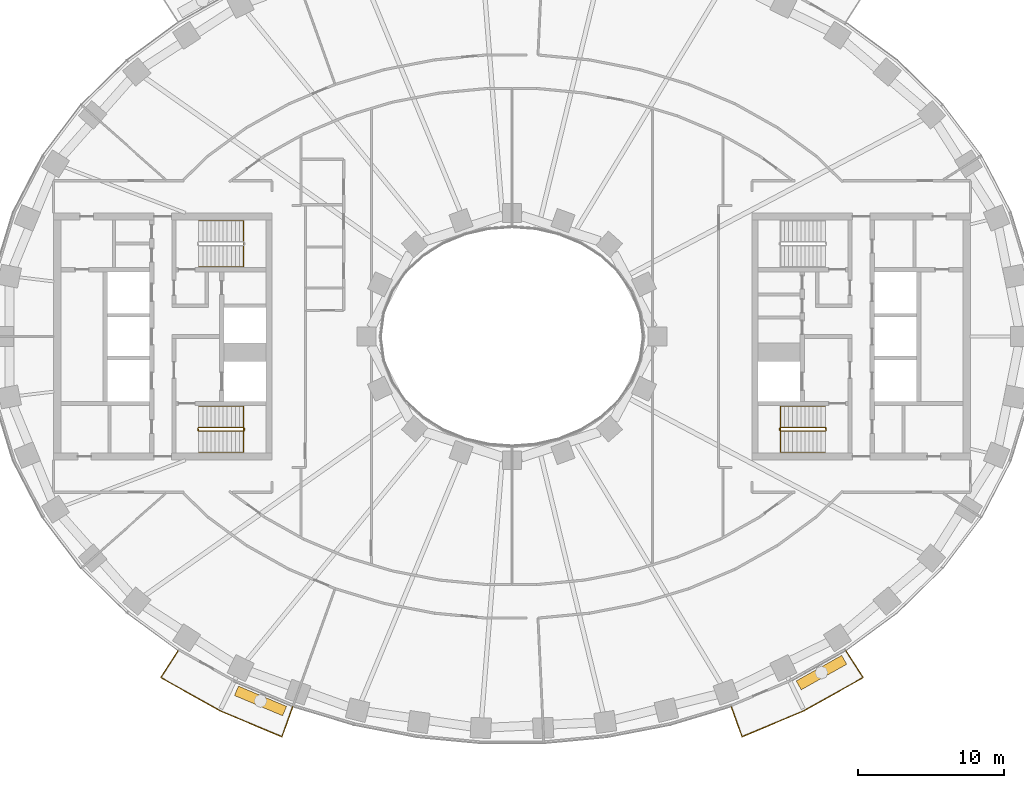
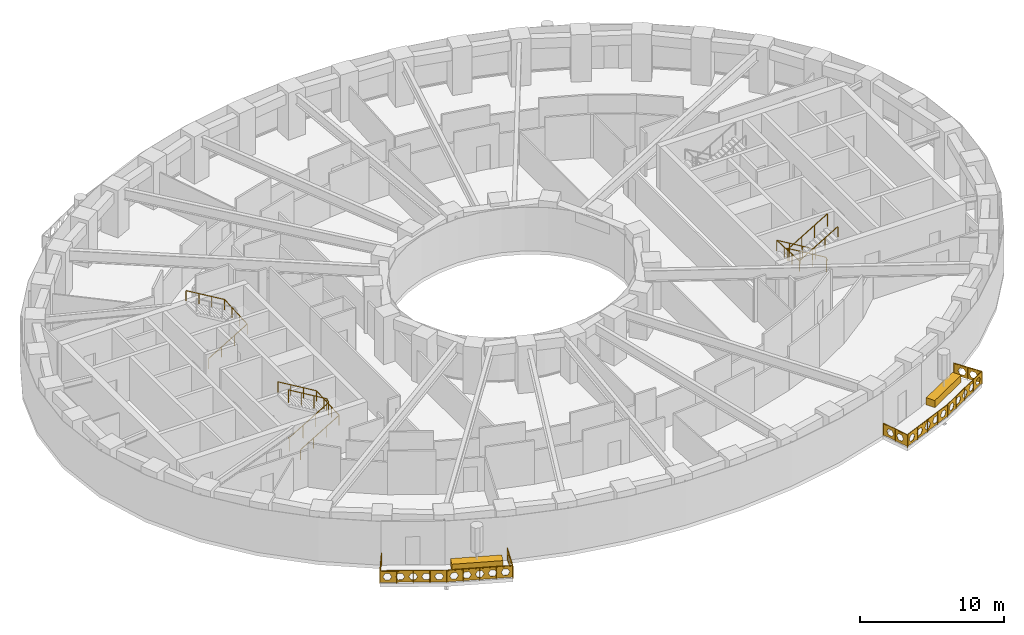
# One storey, part 14 of 16: 7 railings, 2 coverings.
"""IFC4 building model written with IfcOpenShell, lengths in metres."""

import ifcopenshell
import ifcopenshell.guid

model = None  # the IFC model being written
_history = None  # IfcOwnerHistory: only IFC2X3 demands one
_inside = {}  # id of a spatial element -> (the spatial element, [elements in it])
_under = {}  # id of a project, library or spatial element -> (it, [spatial elements below it])
_declared = {}  # id of a project -> (the project, [libraries it declares])
_typed = {}  # id of a type object -> (the type object, [elements of that type])
_made_of = {}  # id of a material, layer set ... -> (it, [elements and type objects made of it])


def new_model(schema):
    """Start an empty IFC model of exactly this schema.

    Asked for "IFC4X3", IfcOpenShell would pick the latest addendum, in which some entities
    have other attributes; the version numbers below select the first issue.
    IFC2X3 requires an IfcOwnerHistory on every rooted entity: one is made here for all.
    """
    global model, _history
    if schema == "IFC4X3":
        model = ifcopenshell.file(schema_version=(4, 3, 0, 0))
    else:
        model = ifcopenshell.file(schema=schema)
    _inside.clear()
    _under.clear()
    _declared.clear()
    _typed.clear()
    _made_of.clear()
    _history = None
    if model.schema == "IFC2X3":
        org = make("IfcOrganization", Name="unknown")
        user = make(
            "IfcPersonAndOrganization",
            ThePerson=make("IfcPerson", FamilyName="unknown"),
            TheOrganization=org,
        )
        app = make(
            "IfcApplication",
            ApplicationDeveloper=org,
            Version="unknown",
            ApplicationFullName="unknown",
            ApplicationIdentifier="unknown",
        )
        _history = make(
            "IfcOwnerHistory",
            OwningUser=user,
            OwningApplication=app,
            ChangeAction="ADDED",
            CreationDate=0,
        )
    return model


def make(cls, **values):
    """One entity of the class cls with the attributes given. An attribute that is None is left unset."""
    return model.create_entity(
        cls, **{name: value for name, value in values.items() if value is not None}
    )


def rooted(cls, **values):
    """An entity with a GlobalId (a new one), such as an element, a storey or a relation."""
    return make(cls, GlobalId=ifcopenshell.guid.new(), OwnerHistory=_history, **values)


def si_unit(unit_type, name, prefix=None):
    """IfcSIUnit, for example si_unit("LENGTHUNIT", "METRE", prefix="MILLI")."""
    return make("IfcSIUnit", UnitType=unit_type, Prefix=prefix, Name=name)


def assignment(units):
    """IfcUnitAssignment: the units of a project."""
    return None if units is None else make("IfcUnitAssignment", Units=units)


def point(xyz):
    """IfcCartesianPoint."""
    return None if xyz is None else make("IfcCartesianPoint", Coordinates=xyz)


def direction(xyz):
    """IfcDirection."""
    return None if xyz is None else make("IfcDirection", DirectionRatios=xyz)


def frame(location, z_axis=None, x_axis=None):
    """IfcAxis2Placement3D, a coordinate frame: its origin and axes. An axis left out is left unset."""
    return make(
        "IfcAxis2Placement3D",
        Location=point(location),
        Axis=direction(z_axis),
        RefDirection=direction(x_axis),
    )


def frame_2d(location, x_axis=None):
    """IfcAxis2Placement2D, a coordinate frame in the plane: its origin and x axis."""
    return make(
        "IfcAxis2Placement2D", Location=point(location), RefDirection=direction(x_axis)
    )


def origin():
    """The frame at (0, 0, 0) with its axes left unset."""
    return frame((0.0, 0.0, 0.0))


def origin_2d():
    """The frame at (0, 0) in the plane with its x axis left unset."""
    return frame_2d((0.0, 0.0))


def place(relative_to, where):
    """IfcLocalPlacement: puts the frame where relative to a parent placement (None: the world)."""
    return make(
        "IfcLocalPlacement", PlacementRelTo=relative_to, RelativePlacement=where
    )


def context(
    kind, dimensions, precision=None, world=None, true_north=None, identifier=None
):
    """IfcGeometricRepresentationContext, for example the 3D "Model" context."""
    return make(
        "IfcGeometricRepresentationContext",
        ContextIdentifier=identifier,
        ContextType=kind,
        CoordinateSpaceDimension=dimensions,
        Precision=precision,
        WorldCoordinateSystem=world,
        TrueNorth=true_north,
    )


def subcontext(parent, identifier, kind, view, scale=None):
    """IfcGeometricRepresentationSubContext, for example "Body" below "Model"."""
    return make(
        "IfcGeometricRepresentationSubContext",
        ContextIdentifier=identifier,
        ContextType=kind,
        ParentContext=parent,
        TargetScale=scale,
        TargetView=view,
    )


def project(units=None, contexts=None):
    """IfcProject with its units and contexts."""
    return rooted(
        "IfcProject",
        Name="project",
        RepresentationContexts=contexts,
        UnitsInContext=assignment(units),
    )


def spatial(cls, under=None, at=None, **own):
    """A site, building, storey or space (cls), placed at a placement, below another one or the project."""
    s = rooted(cls, ObjectPlacement=at, **own)
    if under is not None:
        _under.setdefault(under.id(), (under, []))[1].append(s)
    return s


def polyline(points):
    """IfcPolyline through the points."""
    return make("IfcPolyline", Points=[point(p) for p in points])


def profile(cls, at=None, kind="AREA", **sizes):
    """A parametric profile (cls). Its sizes go by their IFC names, for example OverallWidth=200.0."""
    return make(cls, ProfileType=kind, Position=at, **sizes)


def rectangle(**sizes):
    """IfcRectangleProfileDef."""
    return profile("IfcRectangleProfileDef", **sizes)


def outline(outer, holes=None, kind="AREA"):
    """IfcArbitraryClosedProfileDef: a profile drawn as a closed curve; with holes, ...WithVoids."""
    if holes is None:
        return make("IfcArbitraryClosedProfileDef", ProfileType=kind, OuterCurve=outer)
    return make(
        "IfcArbitraryProfileDefWithVoids",
        ProfileType=kind,
        OuterCurve=outer,
        InnerCurves=holes,
    )


def extrude(swept, where, along, depth):
    """IfcExtrudedAreaSolid: the profile swept, set in the frame where, extruded along a direction by depth."""
    return make(
        "IfcExtrudedAreaSolid",
        SweptArea=swept,
        Position=where,
        ExtrudedDirection=direction(along),
        Depth=depth,
    )


def shape(context_of_items, identifier, shape_type, items):
    """IfcShapeRepresentation: the items that make up one representation, for example the "Body"."""
    return make(
        "IfcShapeRepresentation",
        ContextOfItems=context_of_items,
        RepresentationIdentifier=identifier,
        RepresentationType=shape_type,
        Items=items,
    )


def material(Name=None, Category=None):
    """IfcMaterial."""
    return make("IfcMaterial", Name=Name, Category=Category)


def made_of(thing, what):
    """Note that an element or type object is made of a material, layer set ...; save() writes the relation."""
    if what is not None:
        _made_of.setdefault(what.id(), (what, []))[1].append(thing)
    return thing


def type_object(cls, material=None, **own):
    """A type object (cls), such as IfcWallType, which elements share."""
    return made_of(rooted(cls, **own), material)


def element(
    cls,
    number,
    at=None,
    inside=None,
    cuts=None,
    type_object=None,
    material=None,
    context=None,
    identifier="Body",
    shape_type=None,
    held_by="IfcProductDefinitionShape",
    body=None,
    shapes=None,
    **own,
):
    """One element of the class cls, such as IfcWall. Its Tag is "e" and its number.

    at: its placement. inside: the storey or other place that contains it. cuts: it is an
    opening in that element (IfcRelVoidsElement). A single representation is given by context,
    identifier, shape_type and body (its items); several are given by shapes. held_by: the class
    of the entity that holds the representations. save() writes the other relations.
    """
    e = rooted(cls, Tag="e%d" % number, ObjectPlacement=at, **own)
    if body is not None:
        shapes = [shape(context, identifier, shape_type, body)]
    if shapes is not None:
        e.Representation = make(held_by, Representations=shapes)
    if inside is not None:
        _inside.setdefault(inside.id(), (inside, []))[1].append(e)
    if cuts is not None:
        rooted(
            "IfcRelVoidsElement", RelatingBuildingElement=cuts, RelatedOpeningElement=e
        )
    if type_object is not None:
        _typed.setdefault(type_object.id(), (type_object, []))[1].append(e)
    return made_of(e, material)


def aggregate(whole, parts):
    """IfcRelAggregates: a whole, such as a stair, and the parts it consists of."""
    return rooted("IfcRelAggregates", RelatingObject=whole, RelatedObjects=parts)


def save(model, path):
    """Write the relations noted so far, then the file.

    IfcRelAggregates (storeys below a building ...), IfcRelContainedInSpatialStructure (elements
    in a storey), IfcRelDefinesByType, IfcRelAssociatesMaterial and IfcRelDeclares: one each for
    every whole, place, type object, material and project.
    """
    for whole, parts in _under.values():
        aggregate(whole, parts)
    for where, things in _inside.values():
        rooted(
            "IfcRelContainedInSpatialStructure",
            RelatedElements=things,
            RelatingStructure=where,
        )
    for kind, things in _typed.values():
        rooted("IfcRelDefinesByType", RelatedObjects=things, RelatingType=kind)
    for what, things in _made_of.values():
        rooted("IfcRelAssociatesMaterial", RelatedObjects=things, RelatingMaterial=what)
    for by, libraries in _declared.values():
        rooted("IfcRelDeclares", RelatingContext=by, RelatedDefinitions=libraries)
    model.write(path)


model = new_model("IFC4")

# Units and contexts
model_context = context("Model", 3, precision=1e-05, world=origin(), true_north=direction((0.0, 1.0)))
body_context = subcontext(model_context, "Body", "Model", "MODEL_VIEW")
ifc_project = project(units=[si_unit("LENGTHUNIT", "METRE"), si_unit("AREAUNIT", "SQUARE_METRE"), si_unit("VOLUMEUNIT", "CUBIC_METRE"), si_unit("PLANEANGLEUNIT", "RADIAN"), si_unit("MASSUNIT", "GRAM", prefix="KILO")], contexts=[model_context])

# Site, building, storey
site_placement = place(None, origin())
site = spatial("IfcSite", under=ifc_project, at=site_placement, CompositionType="ELEMENT")
building_placement = place(site_placement, origin())
building = spatial("IfcBuilding", under=site, at=building_placement, Name="Noorbagh Ring Tower", CompositionType="ELEMENT")
storey_placement = place(building_placement, frame((0.0, 0.0, 74.5)))
storey = spatial("IfcBuildingStorey", under=building, at=storey_placement, Name="L16", CompositionType="ELEMENT", Elevation=74.5)

# Railings
ifc_material_1 = material(Name="Stainless steel", Category="steel")
railing_type_1 = type_object("IfcRailingType", Name="CORE-STAIR-GUARD", PredefinedType="GUARDRAIL", material=ifc_material_1)
railing_1_placement = place(storey_placement, frame((-21.580078125, -6.449951171875, 0.0)))
element("IfcRailing", 1, at=railing_1_placement, inside=storey, type_object=railing_type_1, Name="L16 ST2 stair guard", PredefinedType="GUARDRAIL", context=body_context, shape_type="SweptSolid", body=[
    extrude(rectangle(XDim=0.048095703125, YDim=0.048095703125, at=origin_2d()), frame((0.0, 0.0, 1.076171875), z_axis=(0.0, 1.0, 0.0), x_axis=(-1.0, 0.0, 0.0)), (0.0, 0.0, 1.0), 0.14990234375),
    extrude(rectangle(XDim=0.048095703125, YDim=0.048095703125, at=origin_2d()), frame((0.0, 0.14990234375, 1.076171875), z_axis=(0.188775798145, -0.754182335027, 0.628945707965), x_axis=(0.970072785993, 0.242814311512, 0.0)), (0.0, 0.0, 1.0), 0.26513671875),
    extrude(rectangle(XDim=0.048095703125, YDim=0.048095703125, at=origin_2d()), frame((0.050048828125, -0.050048828125, 1.24267578125), z_axis=(0.859308565015, 0.0, 0.511457515432), x_axis=(0.0, 1.0, 0.0)), (0.0, 0.0, 1.0), 3.58447265625),
    extrude(rectangle(XDim=0.048095703125, YDim=0.048095703125, at=origin_2d()), frame((3.130126953125, -0.050048828125, 3.076171875), z_axis=(0.707106781187, 0.707106781187, 0.0), x_axis=(-0.707106781187, 0.707106781187, 0.0)), (0.0, 0.0, 1.0), 0.07080078125),
    extrude(rectangle(XDim=0.048095703125, YDim=0.048095703125, at=origin_2d()), frame((3.18017578125, 0.0, 3.076171875), z_axis=(0.0, 1.0, 0.0), x_axis=(-1.0, 0.0, 0.0)), (0.0, 0.0, 1.0), 0.14990234375),
    extrude(rectangle(XDim=0.048095703125, YDim=0.048095703125, at=origin_2d()), frame((3.18017578125, 0.14990234375, 3.076171875), z_axis=(-0.27628659633, 0.27628659633, 0.920506074601), x_axis=(-0.707106781187, -0.707106781187, 0.0)), (0.0, 0.0, 1.0), 0.18115234375),
    extrude(rectangle(XDim=0.048095703125, YDim=0.048095703125, at=origin_2d()), frame((3.130126953125, 0.199951171875, 3.24267578125), z_axis=(-0.859308565015, 0.0, 0.511457515432), x_axis=(0.0, -1.0, 0.0)), (0.0, 0.0, 1.0), 3.58447265625),
    extrude(rectangle(XDim=0.0419921875, YDim=0.0419921875, at=origin_2d()), origin(), (0.0, 0.0, 1.0), 1.052001953125),
    extrude(rectangle(XDim=0.0419921875, YDim=0.0419921875, at=origin_2d()), frame((1.07666015625, -0.050048828125, 0.77783203125)), (0.0, 0.0, 1.0), 1.052001953125),
    extrude(rectangle(XDim=0.0419921875, YDim=0.0419921875, at=origin_2d()), frame((2.103515625, -0.050048828125, 1.388916015625)), (0.0, 0.0, 1.0), 1.052001953125),
    extrude(rectangle(XDim=0.0419921875, YDim=0.0419921875, at=origin_2d()), frame((3.130126953125, -0.050048828125, 2.0)), (0.0, 0.0, 1.0), 1.052001953125),
    extrude(rectangle(XDim=0.0419921875, YDim=0.0419921875, at=origin_2d()), frame((3.130126953125, 0.199951171875, 2.166748046875)), (0.0, 0.0, 1.0), 1.052001953125),
    extrude(rectangle(XDim=0.0419921875, YDim=0.0419921875, at=origin_2d()), frame((2.103515625, 0.199951171875, 2.77783203125)), (0.0, 0.0, 1.0), 1.052001953125),
    extrude(rectangle(XDim=0.0419921875, YDim=0.0419921875, at=origin_2d()), frame((1.07666015625, 0.199951171875, 3.388916015625)), (0.0, 0.0, 1.0), 1.052001953125),
    extrude(rectangle(XDim=0.0419921875, YDim=0.0419921875, at=origin_2d()), frame((0.050048828125, 0.199951171875, 4.0)), (0.0, 0.0, 1.0), 1.052001953125),
])
railing_2_placement = place(storey_placement, frame((21.580078125, -6.300048828125, 0.0)))
element("IfcRailing", 2, at=railing_2_placement, inside=storey, type_object=railing_type_1, Name="L16 ST4 stair guard", PredefinedType="GUARDRAIL", context=body_context, shape_type="SweptSolid", body=[
    extrude(rectangle(XDim=0.048095703125, YDim=0.048095703125, at=origin_2d()), frame((0.0, 0.0, 1.076171875), z_axis=(0.0, -1.0, 0.0), x_axis=(1.0, 0.0, 0.0)), (0.0, 0.0, 1.0), 0.14990234375),
    extrude(rectangle(XDim=0.048095703125, YDim=0.048095703125, at=origin_2d()), frame((0.0, -0.14990234375, 1.076171875), z_axis=(-0.188775798145, 0.754182335027, 0.628945707965), x_axis=(-0.970072785993, -0.242814311512, 0.0)), (0.0, 0.0, 1.0), 0.26513671875),
    extrude(rectangle(XDim=0.048095703125, YDim=0.048095703125, at=origin_2d()), frame((-0.050048828125, 0.050048828125, 1.24267578125), z_axis=(-0.859308565015, 0.0, 0.511457515432), x_axis=(0.0, -1.0, 0.0)), (0.0, 0.0, 1.0), 3.58447265625),
    extrude(rectangle(XDim=0.048095703125, YDim=0.048095703125, at=origin_2d()), frame((-3.130126953125, 0.050048828125, 3.076171875), z_axis=(-0.707106781187, -0.707106781187, 0.0), x_axis=(0.707106781187, -0.707106781187, 0.0)), (0.0, 0.0, 1.0), 0.07080078125),
    extrude(rectangle(XDim=0.048095703125, YDim=0.048095703125, at=origin_2d()), frame((-3.18017578125, 0.0, 3.076171875), z_axis=(0.0, -1.0, 0.0), x_axis=(1.0, 0.0, 0.0)), (0.0, 0.0, 1.0), 0.14990234375),
    extrude(rectangle(XDim=0.048095703125, YDim=0.048095703125, at=origin_2d()), frame((-3.18017578125, -0.14990234375, 3.076171875), z_axis=(0.27628659633, -0.27628659633, 0.920506074601), x_axis=(0.707106781187, 0.707106781187, 0.0)), (0.0, 0.0, 1.0), 0.18115234375),
    extrude(rectangle(XDim=0.048095703125, YDim=0.048095703125, at=origin_2d()), frame((-3.130126953125, -0.199951171875, 3.24267578125), z_axis=(0.859308565015, 0.0, 0.511457515432), x_axis=(0.0, 1.0, 0.0)), (0.0, 0.0, 1.0), 3.58447265625),
    extrude(rectangle(XDim=0.0419921875, YDim=0.0419921875, at=origin_2d()), origin(), (0.0, 0.0, 1.0), 1.052001953125),
    extrude(rectangle(XDim=0.0419921875, YDim=0.0419921875, at=origin_2d()), frame((-1.07666015625, 0.050048828125, 0.77783203125)), (0.0, 0.0, 1.0), 1.052001953125),
    extrude(rectangle(XDim=0.0419921875, YDim=0.0419921875, at=origin_2d()), frame((-2.103515625, 0.050048828125, 1.388916015625)), (0.0, 0.0, 1.0), 1.052001953125),
    extrude(rectangle(XDim=0.0419921875, YDim=0.0419921875, at=origin_2d()), frame((-3.130126953125, 0.050048828125, 2.0)), (0.0, 0.0, 1.0), 1.052001953125),
    extrude(rectangle(XDim=0.0419921875, YDim=0.0419921875, at=origin_2d()), frame((-3.130126953125, -0.199951171875, 2.166748046875)), (0.0, 0.0, 1.0), 1.052001953125),
    extrude(rectangle(XDim=0.0419921875, YDim=0.0419921875, at=origin_2d()), frame((-2.103515625, -0.199951171875, 2.77783203125)), (0.0, 0.0, 1.0), 1.052001953125),
    extrude(rectangle(XDim=0.0419921875, YDim=0.0419921875, at=origin_2d()), frame((-1.07666015625, -0.199951171875, 3.388916015625)), (0.0, 0.0, 1.0), 1.052001953125),
    extrude(rectangle(XDim=0.0419921875, YDim=0.0419921875, at=origin_2d()), frame((-0.050048828125, -0.199951171875, 4.0)), (0.0, 0.0, 1.0), 1.052001953125),
])
ifc_material_2 = material(Name="Stainless steel", Category="steel")
railing_type_2 = type_object("IfcRailingType", Name="CORE-STAIR-HANDRAIL", PredefinedType="HANDRAIL", material=ifc_material_2)
railing_3_placement = place(storey_placement, frame((-21.530029296875, 4.800048828125, 0.166748046875)))
element("IfcRailing", 3, at=railing_3_placement, inside=storey, type_object=railing_type_2, Name="L16 ST1 stair handrail", PredefinedType="HANDRAIL", context=body_context, shape_type="SweptSolid", body=[
    extrude(rectangle(XDim=0.048095703125, YDim=0.048095703125, at=origin_2d()), frame((0.0, 0.0, 0.8759765625), z_axis=(0.859308565015, 0.0, 0.511457515432), x_axis=(0.0, 1.0, 0.0)), (0.0, 0.0, 1.0), 3.58447265625),
    extrude(rectangle(XDim=0.048095703125, YDim=0.048095703125, at=origin_2d()), frame((3.080078125, 0.0, 2.708984375), z_axis=(0.0, 0.998601747152, 0.052863509014), x_axis=(-1.0, 0.0, 0.0)), (0.0, 0.0, 1.0), 3.154296875),
    extrude(rectangle(XDim=0.048095703125, YDim=0.048095703125, at=origin_2d()), frame((3.080078125, 3.14990234375, 2.8759765625), z_axis=(-0.859308565015, 0.0, 0.511457515432), x_axis=(0.0, -1.0, 0.0)), (0.0, 0.0, 1.0), 3.58447265625),
    extrude(rectangle(XDim=0.0419921875, YDim=0.0419921875, at=origin_2d()), origin(), (0.0, 0.0, 1.0), 0.851806640625),
    extrude(rectangle(XDim=0.0419921875, YDim=0.0419921875, at=origin_2d()), frame((1.026611328125, 0.0, 0.611083984375)), (0.0, 0.0, 1.0), 0.851806640625),
    extrude(rectangle(XDim=0.0419921875, YDim=0.0419921875, at=origin_2d()), frame((2.053466796875, 0.0, 1.22216796875)), (0.0, 0.0, 1.0), 0.851806640625),
    extrude(rectangle(XDim=0.0419921875, YDim=0.0419921875, at=origin_2d()), frame((3.080078125, 0.0, 1.833251953125)), (0.0, 0.0, 1.0), 0.851806640625),
    extrude(rectangle(XDim=0.0419921875, YDim=0.0419921875, at=origin_2d()), frame((3.080078125, 1.050048828125, 1.888916015625)), (0.0, 0.0, 1.0), 0.851806640625),
    extrude(rectangle(XDim=0.0419921875, YDim=0.0419921875, at=origin_2d()), frame((3.080078125, 2.099853515625, 1.9443359375)), (0.0, 0.0, 1.0), 0.851806640625),
    extrude(rectangle(XDim=0.0419921875, YDim=0.0419921875, at=origin_2d()), frame((3.080078125, 3.14990234375, 2.0)), (0.0, 0.0, 1.0), 0.851806640625),
    extrude(rectangle(XDim=0.0419921875, YDim=0.0419921875, at=origin_2d()), frame((2.053466796875, 3.14990234375, 2.611083984375)), (0.0, 0.0, 1.0), 0.851806640625),
    extrude(rectangle(XDim=0.0419921875, YDim=0.0419921875, at=origin_2d()), frame((1.026611328125, 3.14990234375, 3.22216796875)), (0.0, 0.0, 1.0), 0.851806640625),
    extrude(rectangle(XDim=0.0419921875, YDim=0.0419921875, at=origin_2d()), frame((0.0, 3.14990234375, 3.833251953125)), (0.0, 0.0, 1.0), 0.851806640625),
])
railing_4_placement = place(storey_placement, frame((-21.530029296875, -7.949951171875, 0.166748046875)))
element("IfcRailing", 4, at=railing_4_placement, inside=storey, type_object=railing_type_2, Name="L16 ST2 stair handrail", PredefinedType="HANDRAIL", context=body_context, shape_type="SweptSolid", body=[
    extrude(rectangle(XDim=0.048095703125, YDim=0.048095703125, at=origin_2d()), frame((0.0, 0.0, 0.8759765625), z_axis=(0.859308565015, 0.0, 0.511457515432), x_axis=(0.0, 1.0, 0.0)), (0.0, 0.0, 1.0), 3.58447265625),
    extrude(rectangle(XDim=0.048095703125, YDim=0.048095703125, at=origin_2d()), frame((3.080078125, 0.0, 2.708984375), z_axis=(0.0, 0.998601747152, 0.052863509014), x_axis=(-1.0, 0.0, 0.0)), (0.0, 0.0, 1.0), 3.154296875),
    extrude(rectangle(XDim=0.048095703125, YDim=0.048095703125, at=origin_2d()), frame((3.080078125, 3.14990234375, 2.8759765625), z_axis=(-0.859308565015, 0.0, 0.511457515432), x_axis=(0.0, -1.0, 0.0)), (0.0, 0.0, 1.0), 3.58447265625),
    extrude(rectangle(XDim=0.0419921875, YDim=0.0419921875, at=origin_2d()), origin(), (0.0, 0.0, 1.0), 0.851806640625),
    extrude(rectangle(XDim=0.0419921875, YDim=0.0419921875, at=origin_2d()), frame((1.026611328125, 0.0, 0.611083984375)), (0.0, 0.0, 1.0), 0.851806640625),
    extrude(rectangle(XDim=0.0419921875, YDim=0.0419921875, at=origin_2d()), frame((2.053466796875, 0.0, 1.22216796875)), (0.0, 0.0, 1.0), 0.851806640625),
    extrude(rectangle(XDim=0.0419921875, YDim=0.0419921875, at=origin_2d()), frame((3.080078125, 0.0, 1.833251953125)), (0.0, 0.0, 1.0), 0.851806640625),
    extrude(rectangle(XDim=0.0419921875, YDim=0.0419921875, at=origin_2d()), frame((3.080078125, 1.050048828125, 1.888916015625)), (0.0, 0.0, 1.0), 0.851806640625),
    extrude(rectangle(XDim=0.0419921875, YDim=0.0419921875, at=origin_2d()), frame((3.080078125, 2.099853515625, 1.9443359375)), (0.0, 0.0, 1.0), 0.851806640625),
    extrude(rectangle(XDim=0.0419921875, YDim=0.0419921875, at=origin_2d()), frame((3.080078125, 3.14990234375, 2.0)), (0.0, 0.0, 1.0), 0.851806640625),
    extrude(rectangle(XDim=0.0419921875, YDim=0.0419921875, at=origin_2d()), frame((2.053466796875, 3.14990234375, 2.611083984375)), (0.0, 0.0, 1.0), 0.851806640625),
    extrude(rectangle(XDim=0.0419921875, YDim=0.0419921875, at=origin_2d()), frame((1.026611328125, 3.14990234375, 3.22216796875)), (0.0, 0.0, 1.0), 0.851806640625),
    extrude(rectangle(XDim=0.0419921875, YDim=0.0419921875, at=origin_2d()), frame((0.0, 3.14990234375, 3.833251953125)), (0.0, 0.0, 1.0), 0.851806640625),
])
railing_5_placement = place(storey_placement, frame((21.530029296875, -4.800048828125, 0.166748046875)))
element("IfcRailing", 5, at=railing_5_placement, inside=storey, type_object=railing_type_2, Name="L16 ST4 stair handrail", PredefinedType="HANDRAIL", context=body_context, shape_type="SweptSolid", body=[
    extrude(rectangle(XDim=0.048095703125, YDim=0.048095703125, at=origin_2d()), frame((0.0, 0.0, 0.8759765625), z_axis=(-0.859308565015, 0.0, 0.511457515432), x_axis=(0.0, -1.0, 0.0)), (0.0, 0.0, 1.0), 3.58447265625),
    extrude(rectangle(XDim=0.048095703125, YDim=0.048095703125, at=origin_2d()), frame((-3.080078125, 0.0, 2.708984375), z_axis=(0.0, -0.998601747152, 0.052863509014), x_axis=(1.0, 0.0, 0.0)), (0.0, 0.0, 1.0), 3.154296875),
    extrude(rectangle(XDim=0.048095703125, YDim=0.048095703125, at=origin_2d()), frame((-3.080078125, -3.14990234375, 2.8759765625), z_axis=(0.859308565015, 0.0, 0.511457515432), x_axis=(0.0, 1.0, 0.0)), (0.0, 0.0, 1.0), 3.58447265625),
    extrude(rectangle(XDim=0.0419921875, YDim=0.0419921875, at=origin_2d()), origin(), (0.0, 0.0, 1.0), 0.851806640625),
    extrude(rectangle(XDim=0.0419921875, YDim=0.0419921875, at=origin_2d()), frame((-1.026611328125, 0.0, 0.611083984375)), (0.0, 0.0, 1.0), 0.851806640625),
    extrude(rectangle(XDim=0.0419921875, YDim=0.0419921875, at=origin_2d()), frame((-2.053466796875, 0.0, 1.22216796875)), (0.0, 0.0, 1.0), 0.851806640625),
    extrude(rectangle(XDim=0.0419921875, YDim=0.0419921875, at=origin_2d()), frame((-3.080078125, 0.0, 1.833251953125)), (0.0, 0.0, 1.0), 0.851806640625),
    extrude(rectangle(XDim=0.0419921875, YDim=0.0419921875, at=origin_2d()), frame((-3.080078125, -1.050048828125, 1.888916015625)), (0.0, 0.0, 1.0), 0.851806640625),
    extrude(rectangle(XDim=0.0419921875, YDim=0.0419921875, at=origin_2d()), frame((-3.080078125, -2.099853515625, 1.9443359375)), (0.0, 0.0, 1.0), 0.851806640625),
    extrude(rectangle(XDim=0.0419921875, YDim=0.0419921875, at=origin_2d()), frame((-3.080078125, -3.14990234375, 2.0)), (0.0, 0.0, 1.0), 0.851806640625),
    extrude(rectangle(XDim=0.0419921875, YDim=0.0419921875, at=origin_2d()), frame((-2.053466796875, -3.14990234375, 2.611083984375)), (0.0, 0.0, 1.0), 0.851806640625),
    extrude(rectangle(XDim=0.0419921875, YDim=0.0419921875, at=origin_2d()), frame((-1.026611328125, -3.14990234375, 3.22216796875)), (0.0, 0.0, 1.0), 0.851806640625),
    extrude(rectangle(XDim=0.0419921875, YDim=0.0419921875, at=origin_2d()), frame((0.0, -3.14990234375, 3.833251953125)), (0.0, 0.0, 1.0), 0.851806640625),
])
ifc_material_3 = material(Name="Steel S275 black powder-coated", Category="steel")
railing_type_3 = type_object("IfcRailingType", Name="ENV-GUARD", PredefinedType="GUARDRAIL", material=ifc_material_3)
railing_6_placement = place(storey_placement, frame((-22.9326171875, -21.583740234375, 0.0)))
element("IfcRailing", 6, at=railing_6_placement, inside=storey, type_object=railing_type_3, Name="Balcony guard BS02", PredefinedType="GUARDRAIL", context=body_context, shape_type="SweptSolid", body=[
    extrude(rectangle(XDim=0.048095703125, YDim=0.048095703125, at=origin_2d()), frame((0.0, 0.0, 1.076171875), z_axis=(-0.542268136821, -0.840205491406, 0.0), x_axis=(0.840205491406, -0.542268136821, 0.0)), (0.0, 0.0, 1.0), 2.204345703125),
    extrude(rectangle(XDim=0.048095703125, YDim=0.048095703125, at=origin_2d()), frame((-1.1953125, -1.85205078125, 1.076171875), z_axis=(0.872052247658, -0.489412788303, 0.0), x_axis=(0.489412788303, 0.872052247658, 0.0)), (0.0, 0.0, 1.0), 4.646240234375),
    extrude(rectangle(XDim=0.048095703125, YDim=0.048095703125, at=origin_2d()), frame((2.8564453125, -4.1259765625, 1.076171875), z_axis=(0.921809087722, -0.387644174203, 0.0), x_axis=(0.387644174203, 0.921809087722, 0.0)), (0.0, 0.0, 1.0), 4.627197265625),
    extrude(rectangle(XDim=0.048095703125, YDim=0.048095703125, at=origin_2d()), frame((7.121826171875, -5.919677734375, 1.076171875), z_axis=(0.338350546839, 0.941020141896, 0.0), x_axis=(-0.941020141896, 0.338350546839, 0.0)), (0.0, 0.0, 1.0), 2.202880859375),
    extrude(rectangle(XDim=0.0419921875, YDim=0.0419921875, at=origin_2d()), origin(), (0.0, 0.0, 1.0), 1.052001953125),
    extrude(rectangle(XDim=0.0419921875, YDim=0.0419921875, at=origin_2d()), frame((-0.59765625, -0.926025390625, 0.0)), (0.0, 0.0, 1.0), 1.052001953125),
    extrude(rectangle(XDim=0.0419921875, YDim=0.0419921875, at=origin_2d()), frame((-1.1953125, -1.85205078125, 0.0)), (0.0, 0.0, 1.0), 1.052001953125),
    extrude(rectangle(XDim=0.0419921875, YDim=0.0419921875, at=origin_2d()), frame((-0.182373046875, -2.42041015625, 0.0)), (0.0, 0.0, 1.0), 1.052001953125),
    extrude(rectangle(XDim=0.0419921875, YDim=0.0419921875, at=origin_2d()), frame((0.83056640625, -2.989013671875, 0.0)), (0.0, 0.0, 1.0), 1.052001953125),
    extrude(rectangle(XDim=0.0419921875, YDim=0.0419921875, at=origin_2d()), frame((1.843505859375, -3.5576171875, 0.0)), (0.0, 0.0, 1.0), 1.052001953125),
    extrude(rectangle(XDim=0.0419921875, YDim=0.0419921875, at=origin_2d()), frame((2.8564453125, -4.1259765625, 0.0)), (0.0, 0.0, 1.0), 1.052001953125),
    extrude(rectangle(XDim=0.0419921875, YDim=0.0419921875, at=origin_2d()), frame((3.9228515625, -4.574462890625, 0.0)), (0.0, 0.0, 1.0), 1.052001953125),
    extrude(rectangle(XDim=0.0419921875, YDim=0.0419921875, at=origin_2d()), frame((4.9892578125, -5.02294921875, 0.0)), (0.0, 0.0, 1.0), 1.052001953125),
    extrude(rectangle(XDim=0.0419921875, YDim=0.0419921875, at=origin_2d()), frame((6.055419921875, -5.47119140625, 0.0)), (0.0, 0.0, 1.0), 1.052001953125),
    extrude(rectangle(XDim=0.0419921875, YDim=0.0419921875, at=origin_2d()), frame((7.121826171875, -5.919677734375, 0.0)), (0.0, 0.0, 1.0), 1.052001953125),
    extrude(rectangle(XDim=0.0419921875, YDim=0.0419921875, at=origin_2d()), frame((7.49462890625, -4.88330078125, 0.0)), (0.0, 0.0, 1.0), 1.052001953125),
    extrude(rectangle(XDim=0.0419921875, YDim=0.0419921875, at=origin_2d()), frame((7.8671875, -3.8466796875, 0.0)), (0.0, 0.0, 1.0), 1.052001953125),
    extrude(outline(polyline([(0.0, 0.10009765625), (2.204345703125, 0.10009765625), (2.204345703125, 1.031982421875), (0.0, 1.031982421875), (0.0, 0.10009765625)]), holes=[polyline([(0.962158203125, 0.56591796875), (0.80712890625, 0.83447265625), (0.4970703125, 0.83447265625), (0.342041015625, 0.56591796875), (0.4970703125, 0.297607421875), (0.80712890625, 0.297607421875), (0.962158203125, 0.56591796875)]), polyline([(1.862060546875, 0.56591796875), (1.70703125, 0.83447265625), (1.397216796875, 0.83447265625), (1.2421875, 0.56591796875), (1.397216796875, 0.297607421875), (1.70703125, 0.297607421875), (1.862060546875, 0.56591796875)])]), frame((0.00830078125, -0.00537109375, 0.0), z_axis=(-0.840205491406, 0.542268136821, 0.0), x_axis=(-0.542268136821, -0.840205491406, 0.0)), (0.0, 0.0, 1.0), 0.02001953125),
    extrude(outline(polyline([(0.0, 0.10009765625), (4.646240234375, 0.10009765625), (4.646240234375, 1.031982421875), (0.0, 1.031982421875), (0.0, 0.10009765625)]), holes=[polyline([(0.8330078125, 0.56591796875), (0.67822265625, 0.83447265625), (0.3681640625, 0.83447265625), (0.213134765625, 0.56591796875), (0.3681640625, 0.297607421875), (0.67822265625, 0.297607421875), (0.8330078125, 0.56591796875)]), polyline([(1.733154296875, 0.56591796875), (1.578125, 0.83447265625), (1.26806640625, 0.83447265625), (1.113037109375, 0.56591796875), (1.26806640625, 0.297607421875), (1.578125, 0.297607421875), (1.733154296875, 0.56591796875)]), polyline([(2.633056640625, 0.56591796875), (2.47802734375, 0.83447265625), (2.168212890625, 0.83447265625), (2.01318359375, 0.56591796875), (2.168212890625, 0.297607421875), (2.47802734375, 0.297607421875), (2.633056640625, 0.56591796875)]), polyline([(3.533203125, 0.56591796875), (3.378173828125, 0.83447265625), (3.068115234375, 0.83447265625), (2.9130859375, 0.56591796875), (3.068115234375, 0.297607421875), (3.378173828125, 0.297607421875), (3.533203125, 0.56591796875)]), polyline([(4.43310546875, 0.56591796875), (4.278076171875, 0.83447265625), (3.968017578125, 0.83447265625), (3.813232421875, 0.56591796875), (3.968017578125, 0.297607421875), (4.278076171875, 0.297607421875), (4.43310546875, 0.56591796875)])]), frame((-1.1904296875, -1.84326171875, 0.0), z_axis=(-0.489412788303, -0.872052247658, 0.0), x_axis=(0.872052247658, -0.489412788303, 0.0)), (0.0, 0.0, 1.0), 0.02001953125),
    extrude(outline(polyline([(0.0, 0.10009765625), (4.627197265625, 0.10009765625), (4.627197265625, 1.031982421875), (0.0, 1.031982421875), (0.0, 0.10009765625)]), holes=[polyline([(0.823486328125, 0.56591796875), (0.668701171875, 0.83447265625), (0.358642578125, 0.83447265625), (0.20361328125, 0.56591796875), (0.358642578125, 0.297607421875), (0.668701171875, 0.297607421875), (0.823486328125, 0.56591796875)]), polyline([(1.7236328125, 0.56591796875), (1.568603515625, 0.83447265625), (1.258544921875, 0.83447265625), (1.103515625, 0.56591796875), (1.258544921875, 0.297607421875), (1.568603515625, 0.297607421875), (1.7236328125, 0.56591796875)]), polyline([(2.62353515625, 0.56591796875), (2.468505859375, 0.83447265625), (2.15869140625, 0.83447265625), (2.003662109375, 0.56591796875), (2.15869140625, 0.297607421875), (2.468505859375, 0.297607421875), (2.62353515625, 0.56591796875)]), polyline([(3.523681640625, 0.56591796875), (3.36865234375, 0.83447265625), (3.05859375, 0.83447265625), (2.903564453125, 0.56591796875), (3.05859375, 0.297607421875), (3.36865234375, 0.297607421875), (3.523681640625, 0.56591796875)]), polyline([(4.423583984375, 0.56591796875), (4.2685546875, 0.83447265625), (3.95849609375, 0.83447265625), (3.8037109375, 0.56591796875), (3.95849609375, 0.297607421875), (4.2685546875, 0.297607421875), (4.423583984375, 0.56591796875)])]), frame((2.8603515625, -4.11669921875, 0.0), z_axis=(-0.387644174203, -0.921809087722, 0.0), x_axis=(0.921809087722, -0.387644174203, 0.0)), (0.0, 0.0, 1.0), 0.02001953125),
    extrude(outline(polyline([(0.0, 0.10009765625), (2.202880859375, 0.10009765625), (2.202880859375, 1.031982421875), (0.0, 1.031982421875), (0.0, 0.10009765625)]), holes=[polyline([(0.96142578125, 0.56591796875), (0.806396484375, 0.83447265625), (0.49658203125, 0.83447265625), (0.341552734375, 0.56591796875), (0.49658203125, 0.297607421875), (0.806396484375, 0.297607421875), (0.96142578125, 0.56591796875)]), polyline([(1.861572265625, 0.56591796875), (1.70654296875, 0.83447265625), (1.396484375, 0.83447265625), (1.241455078125, 0.56591796875), (1.396484375, 0.297607421875), (1.70654296875, 0.297607421875), (1.861572265625, 0.56591796875)])]), frame((7.1123046875, -5.916259765625, 0.0), z_axis=(0.941020141896, -0.338350546839, 0.0), x_axis=(0.338350546839, 0.941020141896, 0.0)), (0.0, 0.0, 1.0), 0.02001953125),
])
railing_7_placement = place(storey_placement, frame((15.0654296875, -25.430419921875, 0.0)))
element("IfcRailing", 7, at=railing_7_placement, inside=storey, type_object=railing_type_3, Name="Balcony guard BS05", PredefinedType="GUARDRAIL", context=body_context, shape_type="SweptSolid", body=[
    extrude(rectangle(XDim=0.048095703125, YDim=0.048095703125, at=origin_2d()), frame((0.0, 0.0, 1.076171875), z_axis=(0.338350546839, -0.941020141896, 0.0), x_axis=(0.941020141896, 0.338350546839, 0.0)), (0.0, 0.0, 1.0), 2.202880859375),
    extrude(rectangle(XDim=0.048095703125, YDim=0.048095703125, at=origin_2d()), frame((0.745361328125, -2.072998046875, 1.076171875), z_axis=(0.921809087722, 0.387644174203, 0.0), x_axis=(-0.387644174203, 0.921809087722, 0.0)), (0.0, 0.0, 1.0), 4.627197265625),
    extrude(rectangle(XDim=0.048095703125, YDim=0.048095703125, at=origin_2d()), frame((5.0107421875, -0.279296875, 1.076171875), z_axis=(0.872052247658, 0.489412788303, 0.0), x_axis=(-0.489412788303, 0.872052247658, 0.0)), (0.0, 0.0, 1.0), 4.646240234375),
    extrude(rectangle(XDim=0.048095703125, YDim=0.048095703125, at=origin_2d()), frame((9.0625, 1.99462890625, 1.076171875), z_axis=(-0.542268136821, 0.840205491406, 0.0), x_axis=(-0.840205491406, -0.542268136821, 0.0)), (0.0, 0.0, 1.0), 2.204345703125),
    extrude(rectangle(XDim=0.0419921875, YDim=0.0419921875, at=origin_2d()), origin(), (0.0, 0.0, 1.0), 1.052001953125),
    extrude(rectangle(XDim=0.0419921875, YDim=0.0419921875, at=origin_2d()), frame((0.37255859375, -1.03662109375, 0.0)), (0.0, 0.0, 1.0), 1.052001953125),
    extrude(rectangle(XDim=0.0419921875, YDim=0.0419921875, at=origin_2d()), frame((0.745361328125, -2.072998046875, 0.0)), (0.0, 0.0, 1.0), 1.052001953125),
    extrude(rectangle(XDim=0.0419921875, YDim=0.0419921875, at=origin_2d()), frame((1.811767578125, -1.62451171875, 0.0)), (0.0, 0.0, 1.0), 1.052001953125),
    extrude(rectangle(XDim=0.0419921875, YDim=0.0419921875, at=origin_2d()), frame((2.8779296875, -1.17626953125, 0.0)), (0.0, 0.0, 1.0), 1.052001953125),
    extrude(rectangle(XDim=0.0419921875, YDim=0.0419921875, at=origin_2d()), frame((3.9443359375, -0.727783203125, 0.0)), (0.0, 0.0, 1.0), 1.052001953125),
    extrude(rectangle(XDim=0.0419921875, YDim=0.0419921875, at=origin_2d()), frame((5.0107421875, -0.279296875, 0.0)), (0.0, 0.0, 1.0), 1.052001953125),
    extrude(rectangle(XDim=0.0419921875, YDim=0.0419921875, at=origin_2d()), frame((6.023681640625, 0.2890625, 0.0)), (0.0, 0.0, 1.0), 1.052001953125),
    extrude(rectangle(XDim=0.0419921875, YDim=0.0419921875, at=origin_2d()), frame((7.03662109375, 0.857666015625, 0.0)), (0.0, 0.0, 1.0), 1.052001953125),
    extrude(rectangle(XDim=0.0419921875, YDim=0.0419921875, at=origin_2d()), frame((8.049560546875, 1.42626953125, 0.0)), (0.0, 0.0, 1.0), 1.052001953125),
    extrude(rectangle(XDim=0.0419921875, YDim=0.0419921875, at=origin_2d()), frame((9.0625, 1.99462890625, 0.0)), (0.0, 0.0, 1.0), 1.052001953125),
    extrude(rectangle(XDim=0.0419921875, YDim=0.0419921875, at=origin_2d()), frame((8.46484375, 2.920654296875, 0.0)), (0.0, 0.0, 1.0), 1.052001953125),
    extrude(rectangle(XDim=0.0419921875, YDim=0.0419921875, at=origin_2d()), frame((7.8671875, 3.8466796875, 0.0)), (0.0, 0.0, 1.0), 1.052001953125),
    extrude(outline(polyline([(0.0, 0.10009765625), (2.202880859375, 0.10009765625), (2.202880859375, 1.031982421875), (0.0, 1.031982421875), (0.0, 0.10009765625)]), holes=[polyline([(0.96142578125, 0.56591796875), (0.806396484375, 0.83447265625), (0.49658203125, 0.83447265625), (0.341552734375, 0.56591796875), (0.49658203125, 0.297607421875), (0.806396484375, 0.297607421875), (0.96142578125, 0.56591796875)]), polyline([(1.861572265625, 0.56591796875), (1.70654296875, 0.83447265625), (1.396484375, 0.83447265625), (1.241455078125, 0.56591796875), (1.396484375, 0.297607421875), (1.70654296875, 0.297607421875), (1.861572265625, 0.56591796875)])]), frame((0.009521484375, 0.00341796875, 0.0), z_axis=(-0.941020141896, -0.338350546839, 0.0), x_axis=(0.338350546839, -0.941020141896, 0.0)), (0.0, 0.0, 1.0), 0.02001953125),
    extrude(outline(polyline([(0.0, 0.10009765625), (4.627197265625, 0.10009765625), (4.627197265625, 1.031982421875), (0.0, 1.031982421875), (0.0, 0.10009765625)]), holes=[polyline([(0.823486328125, 0.56591796875), (0.668701171875, 0.83447265625), (0.358642578125, 0.83447265625), (0.20361328125, 0.56591796875), (0.358642578125, 0.297607421875), (0.668701171875, 0.297607421875), (0.823486328125, 0.56591796875)]), polyline([(1.7236328125, 0.56591796875), (1.568603515625, 0.83447265625), (1.258544921875, 0.83447265625), (1.103515625, 0.56591796875), (1.258544921875, 0.297607421875), (1.568603515625, 0.297607421875), (1.7236328125, 0.56591796875)]), polyline([(2.62353515625, 0.56591796875), (2.468505859375, 0.83447265625), (2.15869140625, 0.83447265625), (2.003662109375, 0.56591796875), (2.15869140625, 0.297607421875), (2.468505859375, 0.297607421875), (2.62353515625, 0.56591796875)]), polyline([(3.523681640625, 0.56591796875), (3.36865234375, 0.83447265625), (3.05859375, 0.83447265625), (2.903564453125, 0.56591796875), (3.05859375, 0.297607421875), (3.36865234375, 0.297607421875), (3.523681640625, 0.56591796875)]), polyline([(4.423583984375, 0.56591796875), (4.2685546875, 0.83447265625), (3.95849609375, 0.83447265625), (3.8037109375, 0.56591796875), (3.95849609375, 0.297607421875), (4.2685546875, 0.297607421875), (4.423583984375, 0.56591796875)])]), frame((0.741455078125, -2.063720703125, 0.0), z_axis=(0.387644174203, -0.921809087722, 0.0), x_axis=(0.921809087722, 0.387644174203, 0.0)), (0.0, 0.0, 1.0), 0.02001953125),
    extrude(outline(polyline([(0.0, 0.10009765625), (4.646240234375, 0.10009765625), (4.646240234375, 1.031982421875), (0.0, 1.031982421875), (0.0, 0.10009765625)]), holes=[polyline([(0.8330078125, 0.56591796875), (0.67822265625, 0.83447265625), (0.3681640625, 0.83447265625), (0.213134765625, 0.56591796875), (0.3681640625, 0.297607421875), (0.67822265625, 0.297607421875), (0.8330078125, 0.56591796875)]), polyline([(1.733154296875, 0.56591796875), (1.578125, 0.83447265625), (1.26806640625, 0.83447265625), (1.113037109375, 0.56591796875), (1.26806640625, 0.297607421875), (1.578125, 0.297607421875), (1.733154296875, 0.56591796875)]), polyline([(2.633056640625, 0.56591796875), (2.47802734375, 0.83447265625), (2.168212890625, 0.83447265625), (2.01318359375, 0.56591796875), (2.168212890625, 0.297607421875), (2.47802734375, 0.297607421875), (2.633056640625, 0.56591796875)]), polyline([(3.533203125, 0.56591796875), (3.378173828125, 0.83447265625), (3.068115234375, 0.83447265625), (2.9130859375, 0.56591796875), (3.068115234375, 0.297607421875), (3.378173828125, 0.297607421875), (3.533203125, 0.56591796875)]), polyline([(4.43310546875, 0.56591796875), (4.278076171875, 0.83447265625), (3.968017578125, 0.83447265625), (3.813232421875, 0.56591796875), (3.968017578125, 0.297607421875), (4.278076171875, 0.297607421875), (4.43310546875, 0.56591796875)])]), frame((5.005859375, -0.2705078125, 0.0), z_axis=(0.489412788303, -0.872052247658, 0.0), x_axis=(0.872052247658, 0.489412788303, 0.0)), (0.0, 0.0, 1.0), 0.02001953125),
    extrude(outline(polyline([(0.0, 0.10009765625), (2.204345703125, 0.10009765625), (2.204345703125, 1.031982421875), (0.0, 1.031982421875), (0.0, 0.10009765625)]), holes=[polyline([(0.962158203125, 0.56591796875), (0.80712890625, 0.83447265625), (0.4970703125, 0.83447265625), (0.342041015625, 0.56591796875), (0.4970703125, 0.297607421875), (0.80712890625, 0.297607421875), (0.962158203125, 0.56591796875)]), polyline([(1.862060546875, 0.56591796875), (1.70703125, 0.83447265625), (1.397216796875, 0.83447265625), (1.2421875, 0.56591796875), (1.397216796875, 0.297607421875), (1.70703125, 0.297607421875), (1.862060546875, 0.56591796875)])]), frame((9.05419921875, 1.9892578125, 0.0), z_axis=(0.840205491406, 0.542268136821, 0.0), x_axis=(-0.542268136821, 0.840205491406, 0.0)), (0.0, 0.0, 1.0), 0.02001953125),
])

# Coverings
ifc_material_4 = material(Name="Concrete C30/37 planter with soil", Category="concrete")
covering_type = type_object("IfcCoveringType", Name="ENV-PLANTER", PredefinedType="CLADDING", material=ifc_material_4)
covering_1_placement = place(storey_placement, frame((-17.280517578125, -25.041259765625, 0.0), z_axis=(0.0, 0.0, 1.0), x_axis=(0.921811566494, -0.387638279686, 0.0)))
element("IfcCovering", 8, at=covering_1_placement, inside=storey, type_object=covering_type, Name="PLANTER BS02", ObjectType="PLANTER", PredefinedType="CLADDING", context=body_context, shape_type="SweptSolid", body=[
    extrude(rectangle(XDim=3.5859375, YDim=0.699951171875, at=origin_2d()), origin(), (0.0, 0.0, 1.0), 0.60009765625),
])
covering_2_placement = place(storey_placement, frame((21.26513671875, -23.093017578125, 0.0), z_axis=(0.0, 0.0, 1.0), x_axis=(0.872044586249, 0.48942643941, 0.0)))
element("IfcCovering", 9, at=covering_2_placement, inside=storey, type_object=covering_type, Name="PLANTER BS05", ObjectType="PLANTER", PredefinedType="CLADDING", context=body_context, shape_type="SweptSolid", body=[
    extrude(rectangle(XDim=3.58544921875, YDim=0.699951171875, at=origin_2d()), origin(), (0.0, 0.0, 1.0), 0.60009765625),
])

save(model, "model.ifc")
